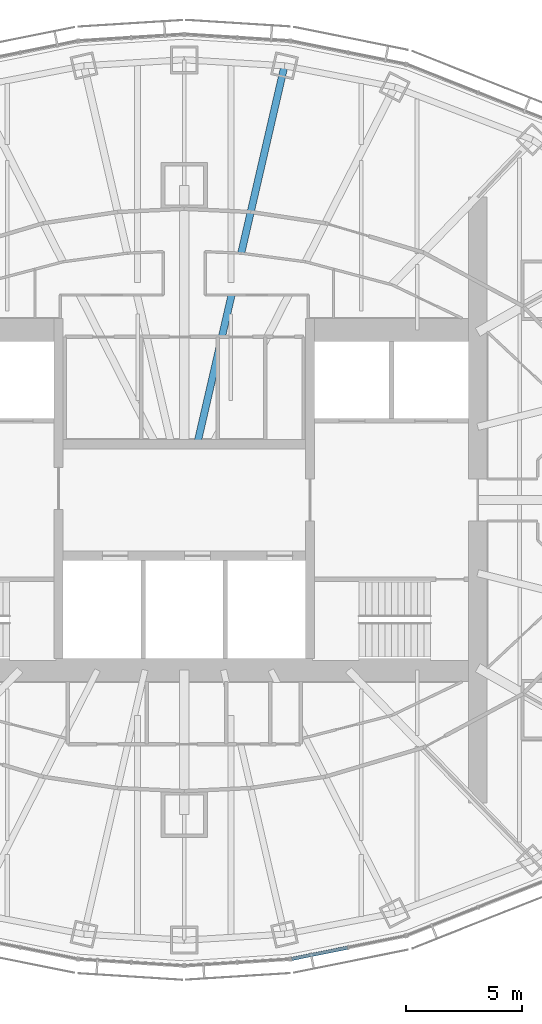
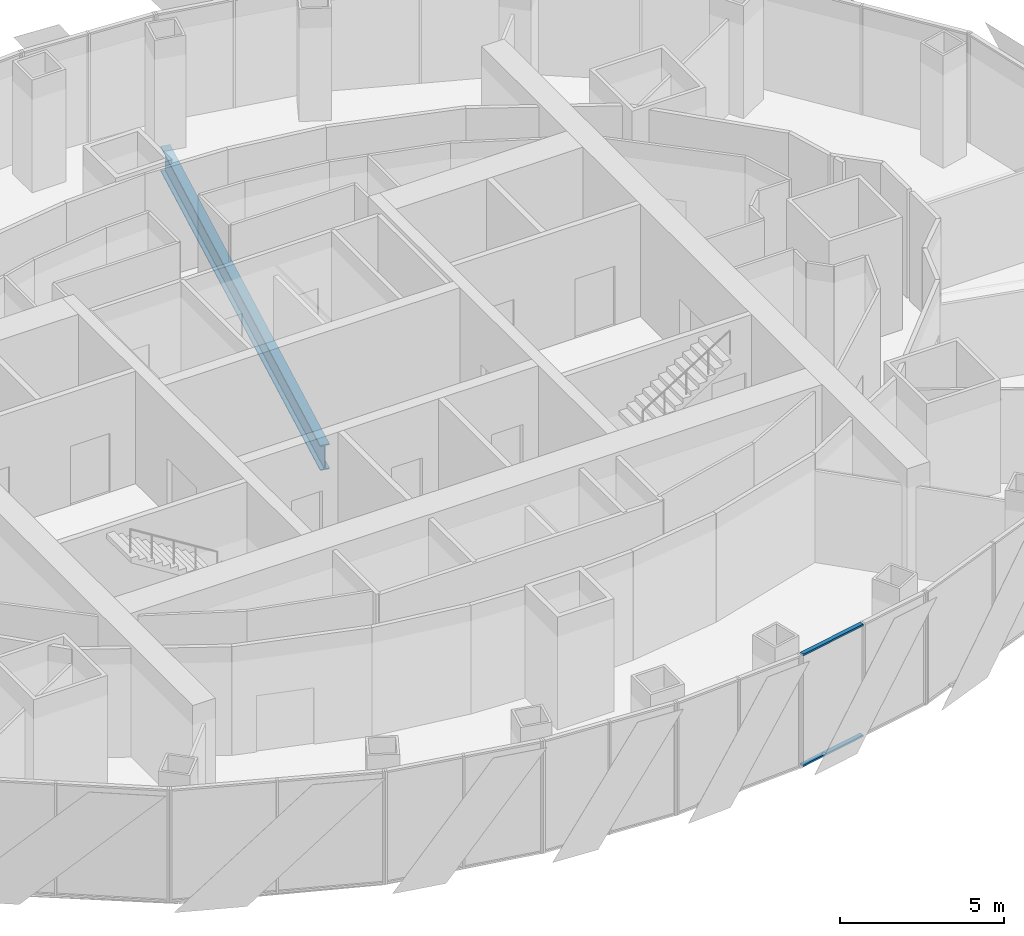
# One storey, part 5 of 17: 2 members, 1 beam, 1 element without a shape of its own.
"""IFC4 building model written with IfcOpenShell, lengths in metres."""

from ifc_helpers import new_model, si_unit, direction, frame, origin, origin_2d, place, context, subcontext, project, spatial, rectangle, i_section, extrude, material, material_profile, profile_set, type_object, element, aggregate, save


model = new_model("IFC4")

# Units and contexts
model_context = context("Model", 3, precision=1e-05, world=origin(), true_north=direction((0.0, 1.0)))
body_context = subcontext(model_context, "Body", "Model", "MODEL_VIEW")
ifc_project = project(units=[si_unit("LENGTHUNIT", "METRE"), si_unit("AREAUNIT", "SQUARE_METRE"), si_unit("VOLUMEUNIT", "CUBIC_METRE"), si_unit("PLANEANGLEUNIT", "RADIAN"), si_unit("MASSUNIT", "GRAM", prefix="KILO")], contexts=[model_context])

# Site, building, storey
site_placement = place(None, origin())
site = spatial("IfcSite", under=ifc_project, at=site_placement, CompositionType="ELEMENT")
building_placement = place(site_placement, origin())
building = spatial("IfcBuilding", under=site, at=building_placement, Name="Lantaw Convention Tower", CompositionType="ELEMENT")
storey_placement = place(building_placement, frame((0.0, 0.0, 211.60009765625)))
storey = spatial("IfcBuildingStorey", under=building, at=storey_placement, Name="L49", CompositionType="ELEMENT", Elevation=211.60009765625)

# Beam
ifc_material_1 = material(Name="Steel ASTM A992", Category="steel")
ifc_material_profile_1 = material_profile(ifc_material_1, i_section(OverallWidth=0.307373046875, OverallDepth=0.9423828125, WebThickness=0.022216796875, FlangeThickness=0.039794921875, FilletRadius=0.0126953125, at=origin_2d()), Name="W36X232")
ifc_profile_set_1 = profile_set([ifc_material_profile_1], Name="Steel ASTM A992")
beam_type = type_object("IfcBeamType", Name="Beam G W36X232", PredefinedType="BEAM", material=ifc_profile_set_1)
beam_placement = place(storey_placement, frame((0.55419921875, 2.39990234375, -0.621337890625), z_axis=(0.224948287002, 0.974370703672, 0.0), x_axis=(-0.974370703672, 0.224948287002, 0.0)))
element("IfcBeam", 1, at=beam_placement, inside=storey, type_object=beam_type, Name="Floor girder on ray 6", PredefinedType="BEAM", context=body_context, shape_type="SweptSolid", body=[
    extrude(i_section(OverallWidth=0.307373046875, OverallDepth=0.9423828125, WebThickness=0.022216796875, FlangeThickness=0.039794921875, FilletRadius=0.0126953125, at=origin_2d()), origin(), (0.0, 0.0, 1.0), 16.66943359375),
])

# Curtain wall, members
ifc_material_2 = material(Name="Aluminium framed curtain wall", Category="aluminium")
curtain_wall_type = type_object("IfcCurtainWallType", Name="Office curtain wall high rise, pale aluminium", PredefinedType="USERDEFINED", material=ifc_material_2)
curtain_wall_placement = place(storey_placement, origin())
curtain_wall = element("IfcCurtainWall", 2, at=curtain_wall_placement, inside=storey, type_object=curtain_wall_type, Name="Office curtain wall high rise, pale aluminium L49", ObjectType="UNITISED CURTAIN WALL", PredefinedType="USERDEFINED")
ifc_material_3 = material(Name="Aluminium 6063-T6", Category="aluminium")
ifc_material_profile_2 = material_profile(ifc_material_3, rectangle(XDim=0.14990234375, YDim=0.06494140625, at=origin_2d()), Name="CW-O2 transom 65x150")
ifc_profile_set_2 = profile_set([ifc_material_profile_2], Name="Aluminium 6063-T6")
member_type = type_object("IfcMemberType", Name="CW-O2 transom 65x150", PredefinedType="USERDEFINED", material=ifc_profile_set_2)
member_1_placement = place(storey_placement, frame((4.614990234375, -19.700927734375, -0.11767578125), z_axis=(0.980380354178, 0.197115096178, 0.0), x_axis=(-0.197115096178, 0.980380354178, 0.0)))
member_1 = element("IfcMember", 3, at=member_1_placement, type_object=member_type, Name="CW-O2 transom 1.1", ObjectType="TRANSOM", PredefinedType="USERDEFINED", context=body_context, shape_type="SweptSolid", body=[
    extrude(rectangle(XDim=0.14990234375, YDim=0.06494140625, at=origin_2d()), origin(), (0.0, 0.0, 1.0), 2.443603515625),
])
member_2_placement = place(storey_placement, frame((4.614990234375, -19.700927734375, 4.017333984375), z_axis=(0.980380354178, 0.197115096178, 0.0), x_axis=(-0.197115096178, 0.980380354178, 0.0)))
member_2 = element("IfcMember", 4, at=member_2_placement, type_object=member_type, Name="CW-O2 transom 1.2", ObjectType="TRANSOM", PredefinedType="USERDEFINED", context=body_context, shape_type="SweptSolid", body=[
    extrude(rectangle(XDim=0.14990234375, YDim=0.06494140625, at=origin_2d()), origin(), (0.0, 0.0, 1.0), 2.443603515625),
])
aggregate(curtain_wall, [member_1, member_2])

save(model, "model.ifc")
